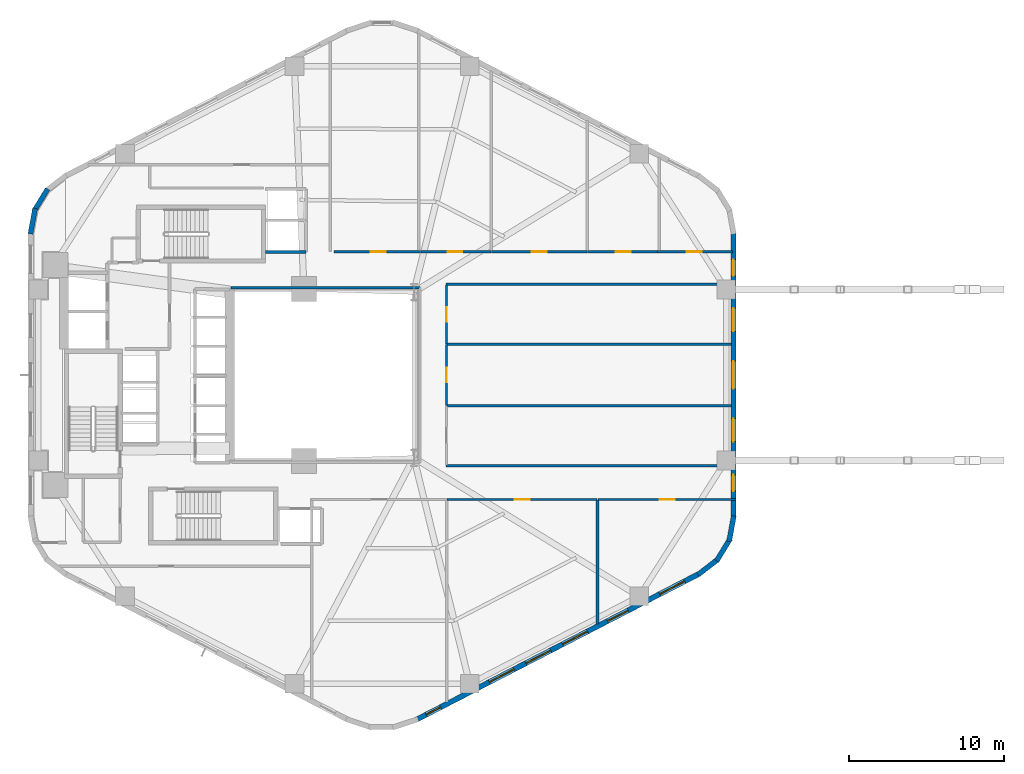
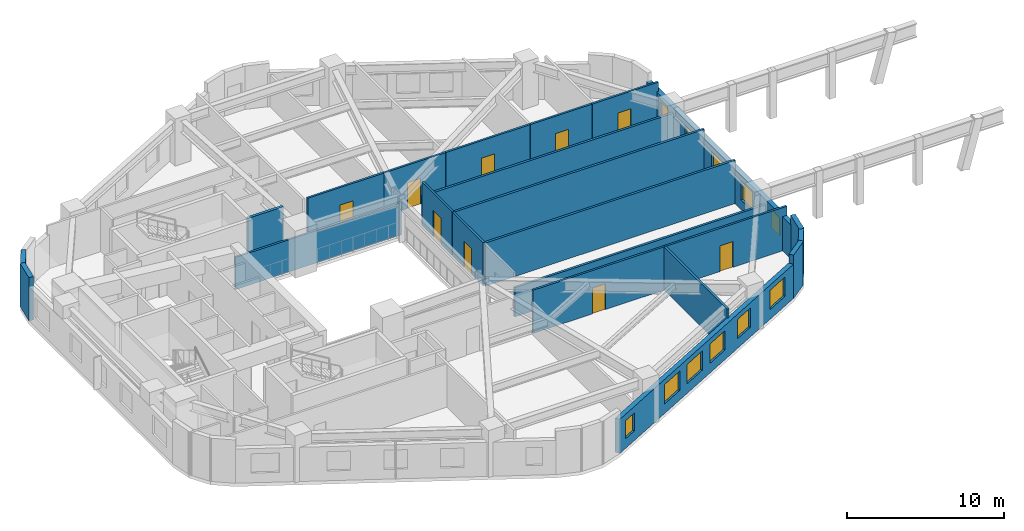
# One storey, part 4 of 7: 23 walls, 11 windows, 9 doors, 20 openings.
"""IFC4 building model written with IfcOpenShell, lengths in metres."""

import ifcopenshell
import ifcopenshell.guid

model = None  # the IFC model being written
_history = None  # IfcOwnerHistory: only IFC2X3 demands one
_inside = {}  # id of a spatial element -> (the spatial element, [elements in it])
_under = {}  # id of a project, library or spatial element -> (it, [spatial elements below it])
_declared = {}  # id of a project -> (the project, [libraries it declares])
_typed = {}  # id of a type object -> (the type object, [elements of that type])
_made_of = {}  # id of a material, layer set ... -> (it, [elements and type objects made of it])


def new_model(schema):
    """Start an empty IFC model of exactly this schema.

    Asked for "IFC4X3", IfcOpenShell would pick the latest addendum, in which some entities
    have other attributes; the version numbers below select the first issue.
    IFC2X3 requires an IfcOwnerHistory on every rooted entity: one is made here for all.
    """
    global model, _history
    if schema == "IFC4X3":
        model = ifcopenshell.file(schema_version=(4, 3, 0, 0))
    else:
        model = ifcopenshell.file(schema=schema)
    _inside.clear()
    _under.clear()
    _declared.clear()
    _typed.clear()
    _made_of.clear()
    _history = None
    if model.schema == "IFC2X3":
        org = make("IfcOrganization", Name="unknown")
        user = make(
            "IfcPersonAndOrganization",
            ThePerson=make("IfcPerson", FamilyName="unknown"),
            TheOrganization=org,
        )
        app = make(
            "IfcApplication",
            ApplicationDeveloper=org,
            Version="unknown",
            ApplicationFullName="unknown",
            ApplicationIdentifier="unknown",
        )
        _history = make(
            "IfcOwnerHistory",
            OwningUser=user,
            OwningApplication=app,
            ChangeAction="ADDED",
            CreationDate=0,
        )
    return model


def make(cls, **values):
    """One entity of the class cls with the attributes given. An attribute that is None is left unset."""
    return model.create_entity(
        cls, **{name: value for name, value in values.items() if value is not None}
    )


def rooted(cls, **values):
    """An entity with a GlobalId (a new one), such as an element, a storey or a relation."""
    return make(cls, GlobalId=ifcopenshell.guid.new(), OwnerHistory=_history, **values)


def si_unit(unit_type, name, prefix=None):
    """IfcSIUnit, for example si_unit("LENGTHUNIT", "METRE", prefix="MILLI")."""
    return make("IfcSIUnit", UnitType=unit_type, Prefix=prefix, Name=name)


def assignment(units):
    """IfcUnitAssignment: the units of a project."""
    return None if units is None else make("IfcUnitAssignment", Units=units)


def point(xyz):
    """IfcCartesianPoint."""
    return None if xyz is None else make("IfcCartesianPoint", Coordinates=xyz)


def direction(xyz):
    """IfcDirection."""
    return None if xyz is None else make("IfcDirection", DirectionRatios=xyz)


def frame(location, z_axis=None, x_axis=None):
    """IfcAxis2Placement3D, a coordinate frame: its origin and axes. An axis left out is left unset."""
    return make(
        "IfcAxis2Placement3D",
        Location=point(location),
        Axis=direction(z_axis),
        RefDirection=direction(x_axis),
    )


def frame_2d(location, x_axis=None):
    """IfcAxis2Placement2D, a coordinate frame in the plane: its origin and x axis."""
    return make(
        "IfcAxis2Placement2D", Location=point(location), RefDirection=direction(x_axis)
    )


def origin():
    """The frame at (0, 0, 0) with its axes left unset."""
    return frame((0.0, 0.0, 0.0))


def place(relative_to, where):
    """IfcLocalPlacement: puts the frame where relative to a parent placement (None: the world)."""
    return make(
        "IfcLocalPlacement", PlacementRelTo=relative_to, RelativePlacement=where
    )


def context(
    kind, dimensions, precision=None, world=None, true_north=None, identifier=None
):
    """IfcGeometricRepresentationContext, for example the 3D "Model" context."""
    return make(
        "IfcGeometricRepresentationContext",
        ContextIdentifier=identifier,
        ContextType=kind,
        CoordinateSpaceDimension=dimensions,
        Precision=precision,
        WorldCoordinateSystem=world,
        TrueNorth=true_north,
    )


def subcontext(parent, identifier, kind, view, scale=None):
    """IfcGeometricRepresentationSubContext, for example "Body" below "Model"."""
    return make(
        "IfcGeometricRepresentationSubContext",
        ContextIdentifier=identifier,
        ContextType=kind,
        ParentContext=parent,
        TargetScale=scale,
        TargetView=view,
    )


def project(units=None, contexts=None):
    """IfcProject with its units and contexts."""
    return rooted(
        "IfcProject",
        Name="project",
        RepresentationContexts=contexts,
        UnitsInContext=assignment(units),
    )


def spatial(cls, under=None, at=None, **own):
    """A site, building, storey or space (cls), placed at a placement, below another one or the project."""
    s = rooted(cls, ObjectPlacement=at, **own)
    if under is not None:
        _under.setdefault(under.id(), (under, []))[1].append(s)
    return s


def profile(cls, at=None, kind="AREA", **sizes):
    """A parametric profile (cls). Its sizes go by their IFC names, for example OverallWidth=200.0."""
    return make(cls, ProfileType=kind, Position=at, **sizes)


def rectangle(**sizes):
    """IfcRectangleProfileDef."""
    return profile("IfcRectangleProfileDef", **sizes)


def extrude(swept, where, along, depth):
    """IfcExtrudedAreaSolid: the profile swept, set in the frame where, extruded along a direction by depth."""
    return make(
        "IfcExtrudedAreaSolid",
        SweptArea=swept,
        Position=where,
        ExtrudedDirection=direction(along),
        Depth=depth,
    )


def shape(context_of_items, identifier, shape_type, items):
    """IfcShapeRepresentation: the items that make up one representation, for example the "Body"."""
    return make(
        "IfcShapeRepresentation",
        ContextOfItems=context_of_items,
        RepresentationIdentifier=identifier,
        RepresentationType=shape_type,
        Items=items,
    )


def material(Name=None, Category=None):
    """IfcMaterial."""
    return make("IfcMaterial", Name=Name, Category=Category)


def layer(
    of_material, thickness, ventilated=None, Name=None, Category=None, Priority=None
):
    """IfcMaterialLayer: one layer of a wall or slab, of a material (None: an air gap)."""
    return make(
        "IfcMaterialLayer",
        Material=of_material,
        LayerThickness=thickness,
        IsVentilated=ventilated,
        Name=Name,
        Category=Category,
        Priority=Priority,
    )


def layer_set(layers, Name=None):
    """IfcMaterialLayerSet."""
    return make("IfcMaterialLayerSet", MaterialLayers=layers, LayerSetName=Name)


def made_of(thing, what):
    """Note that an element or type object is made of a material, layer set ...; save() writes the relation."""
    if what is not None:
        _made_of.setdefault(what.id(), (what, []))[1].append(thing)
    return thing


def type_object(cls, material=None, **own):
    """A type object (cls), such as IfcWallType, which elements share."""
    return made_of(rooted(cls, **own), material)


def element(
    cls,
    number,
    at=None,
    inside=None,
    cuts=None,
    type_object=None,
    material=None,
    context=None,
    identifier="Body",
    shape_type=None,
    held_by="IfcProductDefinitionShape",
    body=None,
    shapes=None,
    **own,
):
    """One element of the class cls, such as IfcWall. Its Tag is "e" and its number.

    at: its placement. inside: the storey or other place that contains it. cuts: it is an
    opening in that element (IfcRelVoidsElement). A single representation is given by context,
    identifier, shape_type and body (its items); several are given by shapes. held_by: the class
    of the entity that holds the representations. save() writes the other relations.
    """
    e = rooted(cls, Tag="e%d" % number, ObjectPlacement=at, **own)
    if body is not None:
        shapes = [shape(context, identifier, shape_type, body)]
    if shapes is not None:
        e.Representation = make(held_by, Representations=shapes)
    if inside is not None:
        _inside.setdefault(inside.id(), (inside, []))[1].append(e)
    if cuts is not None:
        rooted(
            "IfcRelVoidsElement", RelatingBuildingElement=cuts, RelatedOpeningElement=e
        )
    if type_object is not None:
        _typed.setdefault(type_object.id(), (type_object, []))[1].append(e)
    return made_of(e, material)


def fill(opening, filler):
    """IfcRelFillsElement: the door or window that sits in an opening."""
    return rooted(
        "IfcRelFillsElement",
        RelatingOpeningElement=opening,
        RelatedBuildingElement=filler,
    )


def aggregate(whole, parts):
    """IfcRelAggregates: a whole, such as a stair, and the parts it consists of."""
    return rooted("IfcRelAggregates", RelatingObject=whole, RelatedObjects=parts)


def save(model, path):
    """Write the relations noted so far, then the file.

    IfcRelAggregates (storeys below a building ...), IfcRelContainedInSpatialStructure (elements
    in a storey), IfcRelDefinesByType, IfcRelAssociatesMaterial and IfcRelDeclares: one each for
    every whole, place, type object, material and project.
    """
    for whole, parts in _under.values():
        aggregate(whole, parts)
    for where, things in _inside.values():
        rooted(
            "IfcRelContainedInSpatialStructure",
            RelatedElements=things,
            RelatingStructure=where,
        )
    for kind, things in _typed.values():
        rooted("IfcRelDefinesByType", RelatedObjects=things, RelatingType=kind)
    for what, things in _made_of.values():
        rooted("IfcRelAssociatesMaterial", RelatedObjects=things, RelatingMaterial=what)
    for by, libraries in _declared.values():
        rooted("IfcRelDeclares", RelatingContext=by, RelatedDefinitions=libraries)
    model.write(path)


model = new_model("IFC4")

# Units and contexts
model_context = context("Model", 3, precision=1e-05, world=origin(), true_north=direction((0.0, 1.0)))
body_context = subcontext(model_context, "Body", "Model", "MODEL_VIEW")
ifc_project = project(units=[si_unit("LENGTHUNIT", "METRE"), si_unit("AREAUNIT", "SQUARE_METRE"), si_unit("VOLUMEUNIT", "CUBIC_METRE"), si_unit("PLANEANGLEUNIT", "RADIAN"), si_unit("MASSUNIT", "GRAM", prefix="KILO"), si_unit("THERMODYNAMICTEMPERATUREUNIT", "KELVIN"), si_unit("POWERUNIT", "WATT")], contexts=[model_context])

# Site, building, storey
site_placement = place(None, origin())
site = spatial("IfcSite", under=ifc_project, at=site_placement, CompositionType="ELEMENT")
building_placement = place(site_placement, origin())
building = spatial("IfcBuilding", under=site, at=building_placement, Name="Skarre Station Tower", CompositionType="ELEMENT")
storey_placement = place(building_placement, frame((0.0, 0.0, 48.89990234375)))
storey = spatial("IfcBuildingStorey", under=building, at=storey_placement, Name="L12", CompositionType="ELEMENT", Elevation=48.89990234375)

# Wall
ifc_material_1 = material(Name="Acoustic Steel-Stud Gypsum Partition", Category="steel")
ifc_layer_1 = layer(ifc_material_1, 0.14990234375, Name="Acoustic Steel-Stud Gypsum Partition")
ifc_layer_set_1 = layer_set([ifc_layer_1], Name="Acoustic Steel-Stud Gypsum Partition")
wall_type_1 = type_object("IfcWallType", Name="Fire-Rated Corridor Acoustic Partition 150", PredefinedType="PARTITIONING", material=ifc_layer_set_1)
wall_1_placement = place(storey_placement, frame((39.840087890625, 29.639892578125, 0.0), z_axis=(0.0, 0.0, 1.0), x_axis=(-1.0, 0.0, 0.0)))
element("IfcWall", 1, at=wall_1_placement, inside=storey, type_object=wall_type_1, Name="L12 Interior Partition WL-PT-L12-ATRW-N", PredefinedType="PARTITIONING", context=body_context, shape_type="SweptSolid", body=[
    extrude(rectangle(XDim=12.2001953125, YDim=0.14990234375, at=frame_2d((6.10009765625, 0.0))), origin(), (0.0, 0.0, 1.0), 2.5009765625),
])

# Wall, opening, door
wall_2_placement = place(storey_placement, frame((39.89404296875, 31.9599609375, 0.0), z_axis=(0.0, 0.0, 1.0), x_axis=(-1.0, 0.0, 0.0)))
wall_2 = element("IfcWall", 2, at=wall_2_placement, inside=storey, type_object=wall_type_1, Name="L12 Interior Partition WL-PT-L12-NW1-CW", PredefinedType="PARTITIONING", context=body_context, shape_type="SweptSolid", body=[
    extrude(rectangle(XDim=5.60400390625, YDim=0.14990234375, at=frame_2d((2.802001953125, 0.0))), origin(), (0.0, 0.0, 1.0), 3.360107421875),
])
opening_1_placement = place(wall_2_placement, frame((2.264892578125, 0.0, 0.0)))
opening_1 = element("IfcOpeningElement", 3, at=opening_1_placement, cuts=wall_2, Name="Opening DR-FD60", PredefinedType="OPENING", context=body_context, shape_type="SweptSolid", body=[
    extrude(rectangle(XDim=0.9599609375, YDim=2.0, at=frame_2d((0.47998046875, 1.0))), frame((0.0, 0.0849609375, 0.0), z_axis=(0.0, -1.0, 0.0), x_axis=(1.0, 0.0, 0.0)), (0.0, 0.0, 1.0), 0.169921875),
])
ifc_material_2 = material(Name="Nordic White-Oak Veneer Solid-Core Fire Leaf", Category="wood")
door_type = type_object("IfcDoorType", Name="Corridor Suite Entry Fire Door FD60 960x2150", OperationType="SINGLE_SWING_LEFT", PredefinedType="DOOR", material=ifc_material_2)
door_1_placement = place(opening_1_placement, origin())
door_1 = element("IfcDoor", 4, at=door_1_placement, inside=storey, type_object=door_type, Name="L12 NW1 Entry Door", OperationType="SINGLE_SWING_LEFT", OverallHeight=2.0, OverallWidth=0.9599609375, PredefinedType="DOOR", context=body_context, shape_type="SweptSolid", body=[
    extrude(rectangle(XDim=0.9599609375, YDim=2.0, at=frame_2d((0.47998046875, 1.0))), frame((0.0, 0.02490234375, 0.0), z_axis=(0.0, -1.0, 0.0), x_axis=(1.0, 0.0, 0.0)), (0.0, 0.0, 1.0), 0.050048828125),
])
fill(opening_1, door_1)

wall_3_placement = place(storey_placement, frame((44.4169921875, 31.9599609375, 0.0), z_axis=(0.0, 0.0, 1.0), x_axis=(-1.0, 0.0, 0.0)))
wall_3 = element("IfcWall", 5, at=wall_3_placement, inside=storey, type_object=wall_type_1, Name="L12 Interior Partition WL-PT-L12-NW2-CW", PredefinedType="PARTITIONING", context=body_context, shape_type="SweptSolid", body=[
    extrude(rectangle(XDim=4.512939453125, YDim=0.14990234375, at=frame_2d((2.25634765625, 0.0))), origin(), (0.0, 0.0, 1.0), 3.360107421875),
])
opening_2_placement = place(wall_3_placement, frame((1.833984375, 0.0, 0.0)))
opening_2 = element("IfcOpeningElement", 6, at=opening_2_placement, cuts=wall_3, Name="Opening DR-FD60", PredefinedType="OPENING", context=body_context, shape_type="SweptSolid", body=[
    extrude(rectangle(XDim=0.9599609375, YDim=2.0, at=frame_2d((0.47998046875, 1.0))), frame((0.0, 0.0849609375, 0.0), z_axis=(0.0, -1.0, 0.0), x_axis=(1.0, 0.0, 0.0)), (0.0, 0.0, 1.0), 0.169921875),
])
door_2_placement = place(opening_2_placement, origin())
door_2 = element("IfcDoor", 7, at=door_2_placement, inside=storey, type_object=door_type, Name="L12 NW2 Entry Door", OperationType="SINGLE_SWING_LEFT", OverallHeight=2.0, OverallWidth=0.9599609375, PredefinedType="DOOR", context=body_context, shape_type="SweptSolid", body=[
    extrude(rectangle(XDim=0.9599609375, YDim=2.0, at=frame_2d((0.47998046875, 1.0))), frame((0.0, 0.02490234375, 0.0), z_axis=(0.0, -1.0, 0.0), x_axis=(1.0, 0.0, 0.0)), (0.0, 0.0, 1.0), 0.050048828125),
])
fill(opening_2, door_2)

wall_4_placement = place(storey_placement, frame((50.62890625, 31.9599609375, 0.0), z_axis=(0.0, 0.0, 1.0), x_axis=(-1.0, 0.0, 0.0)))
wall_4 = element("IfcWall", 8, at=wall_4_placement, inside=storey, type_object=wall_type_1, Name="L12 Interior Partition WL-PT-L12-NW3-CW", PredefinedType="PARTITIONING", context=body_context, shape_type="SweptSolid", body=[
    extrude(rectangle(XDim=6.179931640625, YDim=0.14990234375, at=frame_2d((3.08984375, 0.0))), origin(), (0.0, 0.0, 1.0), 3.360107421875),
])
opening_3_placement = place(wall_4_placement, frame((2.610107421875, 0.0, 0.0)))
opening_3 = element("IfcOpeningElement", 9, at=opening_3_placement, cuts=wall_4, Name="Opening DR-FD60", PredefinedType="OPENING", context=body_context, shape_type="SweptSolid", body=[
    extrude(rectangle(XDim=0.9599609375, YDim=2.0, at=frame_2d((0.47998046875, 1.0))), frame((0.0, 0.0849609375, 0.0), z_axis=(0.0, -1.0, 0.0), x_axis=(1.0, 0.0, 0.0)), (0.0, 0.0, 1.0), 0.169921875),
])
door_3_placement = place(opening_3_placement, origin())
door_3 = element("IfcDoor", 10, at=door_3_placement, inside=storey, type_object=door_type, Name="L12 NW3 Entry Door", OperationType="SINGLE_SWING_LEFT", OverallHeight=2.0, OverallWidth=0.9599609375, PredefinedType="DOOR", context=body_context, shape_type="SweptSolid", body=[
    extrude(rectangle(XDim=0.9599609375, YDim=2.0, at=frame_2d((0.47998046875, 1.0))), frame((0.0, 0.02490234375, 0.0), z_axis=(0.0, -1.0, 0.0), x_axis=(1.0, 0.0, 0.0)), (0.0, 0.0, 1.0), 0.050048828125),
])
fill(opening_3, door_3)

wall_5_placement = place(storey_placement, frame((55.174072265625, 31.9599609375, 0.0), z_axis=(0.0, 0.0, 1.0), x_axis=(-1.0, 0.0, 0.0)))
wall_5 = element("IfcWall", 11, at=wall_5_placement, inside=storey, type_object=wall_type_1, Name="L12 Interior Partition WL-PT-L12-NW4-CW", PredefinedType="PARTITIONING", context=body_context, shape_type="SweptSolid", body=[
    extrude(rectangle(XDim=4.51318359375, YDim=0.14990234375, at=frame_2d((2.256591796875, 0.0))), origin(), (0.0, 0.0, 1.0), 3.360107421875),
])
opening_4_placement = place(wall_5_placement, frame((1.719970703125, 0.0, 0.0)))
opening_4 = element("IfcOpeningElement", 12, at=opening_4_placement, cuts=wall_5, Name="Opening DR-FD60", PredefinedType="OPENING", context=body_context, shape_type="SweptSolid", body=[
    extrude(rectangle(XDim=0.9599609375, YDim=2.0, at=frame_2d((0.47998046875, 1.0))), frame((0.0, 0.0849609375, 0.0), z_axis=(0.0, -1.0, 0.0), x_axis=(1.0, 0.0, 0.0)), (0.0, 0.0, 1.0), 0.169921875),
])
door_4_placement = place(opening_4_placement, origin())
door_4 = element("IfcDoor", 13, at=door_4_placement, inside=storey, type_object=door_type, Name="L12 NW4 Entry Door", OperationType="SINGLE_SWING_LEFT", OverallHeight=2.0, OverallWidth=0.9599609375, PredefinedType="DOOR", context=body_context, shape_type="SweptSolid", body=[
    extrude(rectangle(XDim=0.9599609375, YDim=2.0, at=frame_2d((0.47998046875, 1.0))), frame((0.0, 0.02490234375, 0.0), z_axis=(0.0, -1.0, 0.0), x_axis=(1.0, 0.0, 0.0)), (0.0, 0.0, 1.0), 0.050048828125),
])
fill(opening_4, door_4)

wall_6_placement = place(storey_placement, frame((60.031982421875, 31.9599609375, 0.0), z_axis=(0.0, 0.0, 1.0), x_axis=(-1.0, 0.0, 0.0)))
wall_6 = element("IfcWall", 14, at=wall_6_placement, inside=storey, type_object=wall_type_1, Name="L12 Interior Partition WL-PT-L12-NW5-CW", PredefinedType="PARTITIONING", context=body_context, shape_type="SweptSolid", body=[
    extrude(rectangle(XDim=4.847900390625, YDim=0.14990234375, at=frame_2d((2.423828125, 0.0))), origin(), (0.0, 0.0, 1.0), 3.360107421875),
])
opening_5_placement = place(wall_6_placement, frame((2.0009765625, 0.0, 0.0)))
opening_5 = element("IfcOpeningElement", 15, at=opening_5_placement, cuts=wall_6, Name="Opening DR-FD60", PredefinedType="OPENING", context=body_context, shape_type="SweptSolid", body=[
    extrude(rectangle(XDim=0.9599609375, YDim=2.0, at=frame_2d((0.47998046875, 1.0))), frame((0.0, 0.0849609375, 0.0), z_axis=(0.0, -1.0, 0.0), x_axis=(1.0, 0.0, 0.0)), (0.0, 0.0, 1.0), 0.169921875),
])
door_5_placement = place(opening_5_placement, origin())
door_5 = element("IfcDoor", 16, at=door_5_placement, inside=storey, type_object=door_type, Name="L12 NW5 Entry Door", OperationType="SINGLE_SWING_LEFT", OverallHeight=2.0, OverallWidth=0.9599609375, PredefinedType="DOOR", context=body_context, shape_type="SweptSolid", body=[
    extrude(rectangle(XDim=0.9599609375, YDim=2.0, at=frame_2d((0.47998046875, 1.0))), frame((0.0, 0.02490234375, 0.0), z_axis=(0.0, -1.0, 0.0), x_axis=(1.0, 0.0, 0.0)), (0.0, 0.0, 1.0), 0.050048828125),
])
fill(opening_5, door_5)

wall_7_placement = place(storey_placement, frame((41.56005859375, 22.0390625, 0.0), z_axis=(0.0, 0.0, 1.0), x_axis=(0.0, 1.0, 0.0)))
wall_7 = element("IfcWall", 17, at=wall_7_placement, inside=storey, type_object=wall_type_1, Name="L12 Interior Partition WL-PT-L12-EW2-CW", PredefinedType="PARTITIONING", context=body_context, shape_type="SweptSolid", body=[
    extrude(rectangle(XDim=3.921875, YDim=0.14990234375, at=frame_2d((1.9609375, 0.0))), origin(), (0.0, 0.0, 1.0), 3.360107421875),
])
opening_6_placement = place(wall_7_placement, frame((1.48095703125, 0.0, 0.0)))
opening_6 = element("IfcOpeningElement", 18, at=opening_6_placement, cuts=wall_7, Name="Opening DR-FD60", PredefinedType="OPENING", context=body_context, shape_type="SweptSolid", body=[
    extrude(rectangle(XDim=0.9599609375, YDim=2.0, at=frame_2d((0.47998046875, 1.0))), frame((0.0, 0.0849609375, 0.0), z_axis=(0.0, -1.0, 0.0), x_axis=(1.0, 0.0, 0.0)), (0.0, 0.0, 1.0), 0.169921875),
])
door_6_placement = place(opening_6_placement, origin())
door_6 = element("IfcDoor", 19, at=door_6_placement, inside=storey, type_object=door_type, Name="L12 EW2 Entry Door", OperationType="SINGLE_SWING_LEFT", OverallHeight=2.0, OverallWidth=0.9599609375, PredefinedType="DOOR", context=body_context, shape_type="SweptSolid", body=[
    extrude(rectangle(XDim=0.9599609375, YDim=2.0, at=frame_2d((0.47998046875, 1.0))), frame((0.0, 0.02490234375, 0.0), z_axis=(0.0, -1.0, 0.0), x_axis=(1.0, 0.0, 0.0)), (0.0, 0.0, 1.0), 0.050048828125),
])
fill(opening_6, door_6)

wall_8_placement = place(storey_placement, frame((41.56005859375, 25.9970703125, 0.0), z_axis=(0.0, 0.0, 1.0), x_axis=(0.0, 1.0, 0.0)))
wall_8 = element("IfcWall", 20, at=wall_8_placement, inside=storey, type_object=wall_type_1, Name="L12 Interior Partition WL-PT-L12-EW3-CW", PredefinedType="PARTITIONING", context=body_context, shape_type="SweptSolid", body=[
    extrude(rectangle(XDim=3.822998046875, YDim=0.14990234375, at=frame_2d((1.91162109375, 0.0))), origin(), (0.0, 0.0, 1.0), 3.360107421875),
])
opening_7_placement = place(wall_8_placement, frame((1.431884765625, 0.0, 0.0)))
opening_7 = element("IfcOpeningElement", 21, at=opening_7_placement, cuts=wall_8, Name="Opening DR-FD60", PredefinedType="OPENING", context=body_context, shape_type="SweptSolid", body=[
    extrude(rectangle(XDim=0.9599609375, YDim=2.0, at=frame_2d((0.47998046875, 1.0))), frame((0.0, 0.0849609375, 0.0), z_axis=(0.0, -1.0, 0.0), x_axis=(1.0, 0.0, 0.0)), (0.0, 0.0, 1.0), 0.169921875),
])
door_7_placement = place(opening_7_placement, origin())
door_7 = element("IfcDoor", 22, at=door_7_placement, inside=storey, type_object=door_type, Name="L12 EW3 Entry Door", OperationType="SINGLE_SWING_LEFT", OverallHeight=2.0, OverallWidth=0.9599609375, PredefinedType="DOOR", context=body_context, shape_type="SweptSolid", body=[
    extrude(rectangle(XDim=0.9599609375, YDim=2.0, at=frame_2d((0.47998046875, 1.0))), frame((0.0, 0.02490234375, 0.0), z_axis=(0.0, -1.0, 0.0), x_axis=(1.0, 0.0, 0.0)), (0.0, 0.0, 1.0), 0.050048828125),
])
fill(opening_7, door_7)

wall_9_placement = place(storey_placement, frame((41.592041015625, 15.9599609375, 0.0), z_axis=(0.0, 0.0, 1.0), x_axis=(1.0, 0.0, 0.0)))
wall_9 = element("IfcWall", 23, at=wall_9_placement, inside=storey, type_object=wall_type_1, Name="L12 Interior Partition WL-PT-L12-SW2-CW", PredefinedType="PARTITIONING", context=body_context, shape_type="SweptSolid", body=[
    extrude(rectangle(XDim=9.698974609375, YDim=0.14990234375, at=frame_2d((4.849609375, 0.0))), origin(), (0.0, 0.0, 1.0), 3.360107421875),
])
opening_8_placement = place(wall_9_placement, frame((4.3701171875, 0.0, 0.0)))
opening_8 = element("IfcOpeningElement", 24, at=opening_8_placement, cuts=wall_9, Name="Opening DR-FD60", PredefinedType="OPENING", context=body_context, shape_type="SweptSolid", body=[
    extrude(rectangle(XDim=0.9599609375, YDim=2.0, at=frame_2d((0.47998046875, 1.0))), frame((0.0, 0.0849609375, 0.0), z_axis=(0.0, -1.0, 0.0), x_axis=(1.0, 0.0, 0.0)), (0.0, 0.0, 1.0), 0.169921875),
])
door_8_placement = place(opening_8_placement, origin())
door_8 = element("IfcDoor", 25, at=door_8_placement, inside=storey, type_object=door_type, Name="L12 SW2 Entry Door", OperationType="SINGLE_SWING_LEFT", OverallHeight=2.0, OverallWidth=0.9599609375, PredefinedType="DOOR", context=body_context, shape_type="SweptSolid", body=[
    extrude(rectangle(XDim=0.9599609375, YDim=2.0, at=frame_2d((0.47998046875, 1.0))), frame((0.0, 0.02490234375, 0.0), z_axis=(0.0, -1.0, 0.0), x_axis=(1.0, 0.0, 0.0)), (0.0, 0.0, 1.0), 0.050048828125),
])
fill(opening_8, door_8)

wall_10_placement = place(storey_placement, frame((51.326904296875, 15.9599609375, 0.0), z_axis=(0.0, 0.0, 1.0), x_axis=(1.0, 0.0, 0.0)))
wall_10 = element("IfcWall", 26, at=wall_10_placement, inside=storey, type_object=wall_type_1, Name="L12 Interior Partition WL-PT-L12-SW3-CW", PredefinedType="PARTITIONING", context=body_context, shape_type="SweptSolid", body=[
    extrude(rectangle(XDim=8.926025390625, YDim=0.14990234375, at=frame_2d((4.462890625, 0.0))), origin(), (0.0, 0.0, 1.0), 3.360107421875),
])
opening_9_placement = place(wall_10_placement, frame((3.9970703125, 0.0, 0.0)))
opening_9 = element("IfcOpeningElement", 27, at=opening_9_placement, cuts=wall_10, Name="Opening DR-FD60", PredefinedType="OPENING", context=body_context, shape_type="SweptSolid", body=[
    extrude(rectangle(XDim=0.9599609375, YDim=2.0, at=frame_2d((0.47998046875, 1.0))), frame((0.0, 0.0849609375, 0.0), z_axis=(0.0, -1.0, 0.0), x_axis=(1.0, 0.0, 0.0)), (0.0, 0.0, 1.0), 0.169921875),
])
door_9_placement = place(opening_9_placement, origin())
door_9 = element("IfcDoor", 28, at=door_9_placement, inside=storey, type_object=door_type, Name="L12 SW3 Entry Door", OperationType="SINGLE_SWING_LEFT", OverallHeight=2.0, OverallWidth=0.9599609375, PredefinedType="DOOR", context=body_context, shape_type="SweptSolid", body=[
    extrude(rectangle(XDim=0.9599609375, YDim=2.0, at=frame_2d((0.47998046875, 1.0))), frame((0.0, 0.02490234375, 0.0), z_axis=(0.0, -1.0, 0.0), x_axis=(1.0, 0.0, 0.0)), (0.0, 0.0, 1.0), 0.050048828125),
])
fill(opening_9, door_9)

# Wall, openings, windows
ifc_material_3 = material(Name="Precast concrete C45/55", Category="concrete")
ifc_layer_2 = layer(ifc_material_3, 0.340087890625, Name="Precast concrete C45/55")
ifc_layer_set_2 = layer_set([ifc_layer_2], Name="Precast concrete C45/55")
wall_type_2 = type_object("IfcWallType", Name="Nordic Honed Precast Facet Wall 340", PredefinedType="STANDARD", material=ifc_layer_set_2)
wall_11_placement = place(storey_placement, frame((57.8759765625, 11.158935546875, 0.0), z_axis=(0.0, 0.0, 1.0), x_axis=(-0.888634413993, -0.458616264721, 0.0)))
wall_11 = element("IfcWall", 29, at=wall_11_placement, inside=storey, type_object=wall_type_2, Name="L12 Facet 4 Nordic Precast Masonry Wall", PredefinedType="STANDARD", context=body_context, shape_type="SweptSolid", body=[
    extrude(rectangle(XDim=20.53125, YDim=0.340087890625, at=frame_2d((10.265625, 0.0))), origin(), (0.0, 0.0, 1.0), 2.654052734375),
])
opening_10_placement = place(wall_11_placement, frame((1.05810546875, 0.0, 0.75)))
opening_10 = element("IfcOpeningElement", 30, at=opening_10_placement, cuts=wall_11, Name="Opening WN-Z1A", PredefinedType="OPENING", context=body_context, shape_type="SweptSolid", body=[
    extrude(rectangle(XDim=1.800048828125, YDim=1.5, at=frame_2d((0.89990234375, 0.75))), frame((0.0, 0.179931640625, 0.0), z_axis=(0.0, -1.0, 0.0), x_axis=(1.0, 0.0, 0.0)), (0.0, 0.0, 1.0), 0.360107421875),
])
opening_11_placement = place(wall_11_placement, frame((5.156005859375, 0.0, 0.75)))
opening_11 = element("IfcOpeningElement", 31, at=opening_11_placement, cuts=wall_11, Name="Opening WN-Z1B", PredefinedType="OPENING", context=body_context, shape_type="SweptSolid", body=[
    extrude(rectangle(XDim=1.5, YDim=1.5, at=frame_2d((0.75, 0.75))), frame((0.0, 0.179931640625, 0.0), z_axis=(0.0, -1.0, 0.0), x_axis=(1.0, 0.0, 0.0)), (0.0, 0.0, 1.0), 0.360107421875),
])
opening_12_placement = place(wall_11_placement, frame((8.123046875, 0.0, 0.75)))
opening_12 = element("IfcOpeningElement", 32, at=opening_12_placement, cuts=wall_11, Name="Opening WN-Z1A", PredefinedType="OPENING", context=body_context, shape_type="SweptSolid", body=[
    extrude(rectangle(XDim=1.800048828125, YDim=1.5, at=frame_2d((0.89990234375, 0.75))), frame((0.0, 0.179931640625, 0.0), z_axis=(0.0, -1.0, 0.0), x_axis=(1.0, 0.0, 0.0)), (0.0, 0.0, 1.0), 0.360107421875),
])
opening_13_placement = place(wall_11_placement, frame((10.7880859375, 0.0, 0.75)))
opening_13 = element("IfcOpeningElement", 33, at=opening_13_placement, cuts=wall_11, Name="Opening WN-Z1A", PredefinedType="OPENING", context=body_context, shape_type="SweptSolid", body=[
    extrude(rectangle(XDim=1.800048828125, YDim=1.5, at=frame_2d((0.89990234375, 0.75))), frame((0.0, 0.179931640625, 0.0), z_axis=(0.0, -1.0, 0.0), x_axis=(1.0, 0.0, 0.0)), (0.0, 0.0, 1.0), 0.360107421875),
])
opening_14_placement = place(wall_11_placement, frame((13.452880859375, 0.0, 0.75)))
opening_14 = element("IfcOpeningElement", 34, at=opening_14_placement, cuts=wall_11, Name="Opening WN-Z1A", PredefinedType="OPENING", context=body_context, shape_type="SweptSolid", body=[
    extrude(rectangle(XDim=1.800048828125, YDim=1.5, at=frame_2d((0.89990234375, 0.75))), frame((0.0, 0.179931640625, 0.0), z_axis=(0.0, -1.0, 0.0), x_axis=(1.0, 0.0, 0.0)), (0.0, 0.0, 1.0), 0.360107421875),
])
opening_15_placement = place(wall_11_placement, frame((18.7880859375, 0.0, 0.75)))
opening_15 = element("IfcOpeningElement", 35, at=opening_15_placement, cuts=wall_11, Name="Opening WN-SLT", PredefinedType="OPENING", context=body_context, shape_type="SweptSolid", body=[
    extrude(rectangle(XDim=1.050048828125, YDim=1.39990234375, at=frame_2d((0.52490234375, 0.699951171875))), frame((0.0, 0.179931640625, 0.0), z_axis=(0.0, -1.0, 0.0), x_axis=(1.0, 0.0, 0.0)), (0.0, 0.0, 1.0), 0.360107421875),
])
ifc_material_4 = material(Name="Low-Iron Triple Glazing with Bronze Anodized Frame", Category="glass")
window_type_1 = type_object("IfcWindowType", Name="Nordic Corner Slot Window 1050x1400", PartitioningType="SINGLE_PANEL", PredefinedType="WINDOW", material=ifc_material_4)
window_1_placement = place(opening_15_placement, origin())
window_1 = element("IfcWindow", 36, at=window_1_placement, inside=storey, type_object=window_type_1, Name="L12 Facade Window WL-FAC-L12-F4-6", OverallHeight=1.39990234375, OverallWidth=1.050048828125, PartitioningType="SINGLE_PANEL", PredefinedType="WINDOW", context=body_context, shape_type="SweptSolid", body=[
    extrude(rectangle(XDim=1.050048828125, YDim=1.39990234375, at=frame_2d((0.52490234375, 0.699951171875))), frame((0.0, 0.030029296875, 0.0), z_axis=(0.0, -1.0, 0.0), x_axis=(1.0, 0.0, 0.0)), (0.0, 0.0, 1.0), 0.06005859375),
])
fill(opening_15, window_1)
window_type_2 = type_object("IfcWindowType", Name="Nordic Punched Triple-Glazed Window 1500x1500", PartitioningType="SINGLE_PANEL", PredefinedType="WINDOW", material=ifc_material_4)
window_2_placement = place(opening_11_placement, origin())
window_2 = element("IfcWindow", 37, at=window_2_placement, inside=storey, type_object=window_type_2, Name="L12 Facade Window WL-FAC-L12-F4-2", OverallHeight=1.5, OverallWidth=1.5, PartitioningType="SINGLE_PANEL", PredefinedType="WINDOW", context=body_context, shape_type="SweptSolid", body=[
    extrude(rectangle(XDim=1.5, YDim=1.5, at=frame_2d((0.75, 0.75))), frame((0.0, 0.030029296875, 0.0), z_axis=(0.0, -1.0, 0.0), x_axis=(1.0, 0.0, 0.0)), (0.0, 0.0, 1.0), 0.06005859375),
])
fill(opening_11, window_2)
window_type_3 = type_object("IfcWindowType", Name="Nordic Punched Triple-Glazed Window 1800x1500", PartitioningType="SINGLE_PANEL", PredefinedType="WINDOW", material=ifc_material_4)
window_3_placement = place(opening_10_placement, origin())
window_3 = element("IfcWindow", 38, at=window_3_placement, inside=storey, type_object=window_type_3, Name="L12 Facade Window WL-FAC-L12-F4-1", OverallHeight=1.5, OverallWidth=1.800048828125, PartitioningType="SINGLE_PANEL", PredefinedType="WINDOW", context=body_context, shape_type="SweptSolid", body=[
    extrude(rectangle(XDim=1.800048828125, YDim=1.5, at=frame_2d((0.89990234375, 0.75))), frame((0.0, 0.030029296875, 0.0), z_axis=(0.0, -1.0, 0.0), x_axis=(1.0, 0.0, 0.0)), (0.0, 0.0, 1.0), 0.06005859375),
])
fill(opening_10, window_3)
window_4_placement = place(opening_12_placement, origin())
window_4 = element("IfcWindow", 39, at=window_4_placement, inside=storey, type_object=window_type_3, Name="L12 Facade Window WL-FAC-L12-F4-3", OverallHeight=1.5, OverallWidth=1.800048828125, PartitioningType="SINGLE_PANEL", PredefinedType="WINDOW", context=body_context, shape_type="SweptSolid", body=[
    extrude(rectangle(XDim=1.800048828125, YDim=1.5, at=frame_2d((0.89990234375, 0.75))), frame((0.0, 0.030029296875, 0.0), z_axis=(0.0, -1.0, 0.0), x_axis=(1.0, 0.0, 0.0)), (0.0, 0.0, 1.0), 0.06005859375),
])
fill(opening_12, window_4)
window_5_placement = place(opening_13_placement, origin())
window_5 = element("IfcWindow", 40, at=window_5_placement, inside=storey, type_object=window_type_3, Name="L12 Facade Window WL-FAC-L12-F4-4", OverallHeight=1.5, OverallWidth=1.800048828125, PartitioningType="SINGLE_PANEL", PredefinedType="WINDOW", context=body_context, shape_type="SweptSolid", body=[
    extrude(rectangle(XDim=1.800048828125, YDim=1.5, at=frame_2d((0.89990234375, 0.75))), frame((0.0, 0.030029296875, 0.0), z_axis=(0.0, -1.0, 0.0), x_axis=(1.0, 0.0, 0.0)), (0.0, 0.0, 1.0), 0.06005859375),
])
fill(opening_13, window_5)
window_6_placement = place(opening_14_placement, origin())
window_6 = element("IfcWindow", 41, at=window_6_placement, inside=storey, type_object=window_type_3, Name="L12 Facade Window WL-FAC-L12-F4-5", OverallHeight=1.5, OverallWidth=1.800048828125, PartitioningType="SINGLE_PANEL", PredefinedType="WINDOW", context=body_context, shape_type="SweptSolid", body=[
    extrude(rectangle(XDim=1.800048828125, YDim=1.5, at=frame_2d((0.89990234375, 0.75))), frame((0.0, 0.030029296875, 0.0), z_axis=(0.0, -1.0, 0.0), x_axis=(1.0, 0.0, 0.0)), (0.0, 0.0, 1.0), 0.06005859375),
])
fill(opening_14, window_6)

wall_12_placement = place(storey_placement, frame((60.093017578125, 33.201904296875, 0.0), z_axis=(0.0, 0.0, 1.0), x_axis=(0.0, -1.0, 0.0)))
wall_12 = element("IfcWall", 42, at=wall_12_placement, inside=storey, type_object=wall_type_2, Name="L12 Facet 5 Nordic Precast Masonry Wall", PredefinedType="STANDARD", context=body_context, shape_type="SweptSolid", body=[
    extrude(rectangle(XDim=18.40380859375, YDim=0.340087890625, at=frame_2d((9.201904296875, 0.0))), origin(), (0.0, 0.0, 1.0), 2.654052734375),
])
opening_16_placement = place(wall_12_placement, frame((1.743896484375, 0.0, 0.75)))
opening_16 = element("IfcOpeningElement", 43, at=opening_16_placement, cuts=wall_12, Name="Opening WN-SLT", PredefinedType="OPENING", context=body_context, shape_type="SweptSolid", body=[
    extrude(rectangle(XDim=1.050048828125, YDim=1.39990234375, at=frame_2d((0.52490234375, 0.699951171875))), frame((0.0, 0.179931640625, 0.0), z_axis=(0.0, -1.0, 0.0), x_axis=(1.0, 0.0, 0.0)), (0.0, 0.0, 1.0), 0.360107421875),
])
opening_17_placement = place(wall_12_placement, frame((4.89111328125, 0.0, 0.75)))
opening_17 = element("IfcOpeningElement", 44, at=opening_17_placement, cuts=wall_12, Name="Opening WN-Z1B", PredefinedType="OPENING", context=body_context, shape_type="SweptSolid", body=[
    extrude(rectangle(XDim=1.5, YDim=1.5, at=frame_2d((0.75, 0.75))), frame((0.0, 0.179931640625, 0.0), z_axis=(0.0, -1.0, 0.0), x_axis=(1.0, 0.0, 0.0)), (0.0, 0.0, 1.0), 0.360107421875),
])
opening_18_placement = place(wall_12_placement, frame((8.302001953125, 0.0, 0.75)))
opening_18 = element("IfcOpeningElement", 45, at=opening_18_placement, cuts=wall_12, Name="Opening WN-Z1A", PredefinedType="OPENING", context=body_context, shape_type="SweptSolid", body=[
    extrude(rectangle(XDim=1.800048828125, YDim=1.5, at=frame_2d((0.89990234375, 0.75))), frame((0.0, 0.179931640625, 0.0), z_axis=(0.0, -1.0, 0.0), x_axis=(1.0, 0.0, 0.0)), (0.0, 0.0, 1.0), 0.360107421875),
])
opening_19_placement = place(wall_12_placement, frame((12.012939453125, 0.0, 0.75)))
opening_19 = element("IfcOpeningElement", 46, at=opening_19_placement, cuts=wall_12, Name="Opening WN-Z1B", PredefinedType="OPENING", context=body_context, shape_type="SweptSolid", body=[
    extrude(rectangle(XDim=1.5, YDim=1.5, at=frame_2d((0.75, 0.75))), frame((0.0, 0.179931640625, 0.0), z_axis=(0.0, -1.0, 0.0), x_axis=(1.0, 0.0, 0.0)), (0.0, 0.0, 1.0), 0.360107421875),
])
opening_20_placement = place(wall_12_placement, frame((15.64990234375, 0.0, 0.75)))
opening_20 = element("IfcOpeningElement", 47, at=opening_20_placement, cuts=wall_12, Name="Opening WN-SLT", PredefinedType="OPENING", context=body_context, shape_type="SweptSolid", body=[
    extrude(rectangle(XDim=1.050048828125, YDim=1.39990234375, at=frame_2d((0.52490234375, 0.699951171875))), frame((0.0, 0.179931640625, 0.0), z_axis=(0.0, -1.0, 0.0), x_axis=(1.0, 0.0, 0.0)), (0.0, 0.0, 1.0), 0.360107421875),
])
window_7_placement = place(opening_16_placement, origin())
window_7 = element("IfcWindow", 48, at=window_7_placement, inside=storey, type_object=window_type_1, Name="L12 Facade Window WL-FAC-L12-F5-1", OverallHeight=1.39990234375, OverallWidth=1.050048828125, PartitioningType="SINGLE_PANEL", PredefinedType="WINDOW", context=body_context, shape_type="SweptSolid", body=[
    extrude(rectangle(XDim=1.050048828125, YDim=1.39990234375, at=frame_2d((0.52490234375, 0.699951171875))), frame((0.0, 0.030029296875, 0.0), z_axis=(0.0, -1.0, 0.0), x_axis=(1.0, 0.0, 0.0)), (0.0, 0.0, 1.0), 0.06005859375),
])
fill(opening_16, window_7)
window_8_placement = place(opening_20_placement, origin())
window_8 = element("IfcWindow", 49, at=window_8_placement, inside=storey, type_object=window_type_1, Name="L12 Facade Window WL-FAC-L12-F5-5", OverallHeight=1.39990234375, OverallWidth=1.050048828125, PartitioningType="SINGLE_PANEL", PredefinedType="WINDOW", context=body_context, shape_type="SweptSolid", body=[
    extrude(rectangle(XDim=1.050048828125, YDim=1.39990234375, at=frame_2d((0.52490234375, 0.699951171875))), frame((0.0, 0.030029296875, 0.0), z_axis=(0.0, -1.0, 0.0), x_axis=(1.0, 0.0, 0.0)), (0.0, 0.0, 1.0), 0.06005859375),
])
fill(opening_20, window_8)
window_9_placement = place(opening_17_placement, origin())
window_9 = element("IfcWindow", 50, at=window_9_placement, inside=storey, type_object=window_type_2, Name="L12 Facade Window WL-FAC-L12-F5-2", OverallHeight=1.5, OverallWidth=1.5, PartitioningType="SINGLE_PANEL", PredefinedType="WINDOW", context=body_context, shape_type="SweptSolid", body=[
    extrude(rectangle(XDim=1.5, YDim=1.5, at=frame_2d((0.75, 0.75))), frame((0.0, 0.030029296875, 0.0), z_axis=(0.0, -1.0, 0.0), x_axis=(1.0, 0.0, 0.0)), (0.0, 0.0, 1.0), 0.06005859375),
])
fill(opening_17, window_9)
window_10_placement = place(opening_19_placement, origin())
window_10 = element("IfcWindow", 51, at=window_10_placement, inside=storey, type_object=window_type_2, Name="L12 Facade Window WL-FAC-L12-F5-4", OverallHeight=1.5, OverallWidth=1.5, PartitioningType="SINGLE_PANEL", PredefinedType="WINDOW", context=body_context, shape_type="SweptSolid", body=[
    extrude(rectangle(XDim=1.5, YDim=1.5, at=frame_2d((0.75, 0.75))), frame((0.0, 0.030029296875, 0.0), z_axis=(0.0, -1.0, 0.0), x_axis=(1.0, 0.0, 0.0)), (0.0, 0.0, 1.0), 0.06005859375),
])
fill(opening_19, window_10)
window_11_placement = place(opening_18_placement, origin())
window_11 = element("IfcWindow", 52, at=window_11_placement, inside=storey, type_object=window_type_3, Name="L12 Facade Window WL-FAC-L12-F5-3", OverallHeight=1.5, OverallWidth=1.800048828125, PartitioningType="SINGLE_PANEL", PredefinedType="WINDOW", context=body_context, shape_type="SweptSolid", body=[
    extrude(rectangle(XDim=1.800048828125, YDim=1.5, at=frame_2d((0.89990234375, 0.75))), frame((0.0, 0.030029296875, 0.0), z_axis=(0.0, -1.0, 0.0), x_axis=(1.0, 0.0, 0.0)), (0.0, 0.0, 1.0), 0.06005859375),
])
fill(opening_18, window_11)

# Walls
ifc_layer_3 = layer(ifc_material_3, 0.330078125, Name="Precast concrete C45/55")
ifc_layer_set_3 = layer_set([ifc_layer_3], Name="Precast concrete C45/55")
wall_type_3 = type_object("IfcWallType", Name="Nordic Rounded Corner Precast Wall 330", PredefinedType="STANDARD", material=ifc_layer_set_3)
wall_13_placement = place(storey_placement, frame((14.68701171875, 33.10791015625, 0.0), z_axis=(0.0, 0.0, 1.0), x_axis=(0.181714143354, 0.983351397063, 0.0)))
element("IfcWall", 53, at=wall_13_placement, inside=storey, type_object=wall_type_3, Name="L12 Rounded Corner Precast Wall F2-1", PredefinedType="STANDARD", context=body_context, shape_type="SweptSolid", body=[
    extrude(rectangle(XDim=1.677978515625, YDim=0.330078125, at=frame_2d((0.8388671875, 0.0))), origin(), (0.0, 0.0, 1.0), 3.360107421875),
])
wall_14_placement = place(storey_placement, frame((14.925048828125, 34.5830078125, 0.0), z_axis=(0.0, 0.0, 1.0), x_axis=(0.520584129191, 0.853810379671, 0.0)))
element("IfcWall", 54, at=wall_14_placement, inside=storey, type_object=wall_type_3, Name="L12 Rounded Corner Precast Wall F2-2", PredefinedType="STANDARD", context=body_context, shape_type="SweptSolid", body=[
    extrude(rectangle(XDim=1.677001953125, YDim=0.330078125, at=frame_2d((0.83837890625, 0.0))), origin(), (0.0, 0.0, 1.0), 3.360107421875),
])
wall_15_placement = place(storey_placement, frame((60.113037109375, 14.89208984375, 0.0), z_axis=(0.0, 0.0, 1.0), x_axis=(-0.181714143354, -0.983351397063, 0.0)))
element("IfcWall", 55, at=wall_15_placement, inside=storey, type_object=wall_type_3, Name="L12 Rounded Corner Precast Wall F5-1", PredefinedType="STANDARD", context=body_context, shape_type="SweptSolid", body=[
    extrude(rectangle(XDim=1.677978515625, YDim=0.330078125, at=frame_2d((0.8388671875, 0.0))), origin(), (0.0, 0.0, 1.0), 3.360107421875),
])
wall_16_placement = place(storey_placement, frame((59.875, 13.4169921875, 0.0), z_axis=(0.0, 0.0, 1.0), x_axis=(-0.520584129191, -0.853810379671, 0.0)))
element("IfcWall", 56, at=wall_16_placement, inside=storey, type_object=wall_type_3, Name="L12 Rounded Corner Precast Wall F5-2", PredefinedType="STANDARD", context=body_context, shape_type="SweptSolid", body=[
    extrude(rectangle(XDim=1.677001953125, YDim=0.330078125, at=frame_2d((0.83837890625, 0.0))), origin(), (0.0, 0.0, 1.0), 3.360107421875),
])
wall_17_placement = place(storey_placement, frame((59.126953125, 12.125, 0.0), z_axis=(0.0, 0.0, 1.0), x_axis=(-0.790691856293, -0.61221433207, 0.0)))
element("IfcWall", 57, at=wall_17_placement, inside=storey, type_object=wall_type_3, Name="L12 Rounded Corner Precast Wall F5-3", PredefinedType="STANDARD", context=body_context, shape_type="SweptSolid", body=[
    extrude(rectangle(XDim=1.67578125, YDim=0.330078125, at=frame_2d((0.837890625, 0.0))), origin(), (0.0, 0.0, 1.0), 3.360107421875),
])
ifc_material_5 = material(Name="Gypsum Concrete Shaft Assembly C30/37", Category="concrete")
ifc_layer_4 = layer(ifc_material_5, 0.199951171875, Name="Gypsum Concrete Shaft Assembly C30/37")
ifc_layer_set_4 = layer_set([ifc_layer_4], Name="Gypsum Concrete Shaft Assembly C30/37")
wall_type_4 = type_object("IfcWallType", Name="Shaft & Core Fire Partition 200", PredefinedType="PARTITIONING", material=ifc_layer_set_4)
wall_18_placement = place(storey_placement, frame((32.47998046875, 31.949951171875, 0.0), z_axis=(0.0, 0.0, 1.0), x_axis=(-1.0, 0.0, 0.0)))
element("IfcWall", 58, at=wall_18_placement, inside=storey, type_object=wall_type_4, Name="L12 Interior Partition WL-PT-L12-EX-S", PredefinedType="PARTITIONING", context=body_context, shape_type="SweptSolid", body=[
    extrude(rectangle(XDim=2.60009765625, YDim=0.199951171875, at=frame_2d((1.300048828125, 0.0))), origin(), (0.0, 0.0, 1.0), 3.360107421875),
])
ifc_layer_5 = layer(ifc_material_1, 0.1650390625, Name="Acoustic Steel-Stud Gypsum Partition")
ifc_layer_set_5 = layer_set([ifc_layer_5], Name="Acoustic Steel-Stud Gypsum Partition")
wall_type_5 = type_object("IfcWallType", Name="Suite Demising Acoustic Partition 165", PredefinedType="PARTITIONING", material=ifc_layer_set_5)
for number, where, z_axis, x_axis, name in (
    (59, (41.52001953125, 18.139892578125, 0.0), (0.0, 0.0, 1.0), (1.0, 0.0, 0.0), "L12 Interior Partition WL-PT-L12-EWB-S"),
    (60, (41.52001953125, 29.860107421875, 0.0), (0.0, 0.0, 1.0), (1.0, 0.0, 0.0), "L12 Interior Partition WL-PT-L12-EWB-N"),
):
    element("IfcWall", number, at=place(storey_placement, frame(where, z_axis=z_axis, x_axis=x_axis)), inside=storey, type_object=wall_type_5, Name=name, PredefinedType="PARTITIONING", context=body_context, shape_type="SweptSolid", body=[
        extrude(rectangle(XDim=18.452880859375, YDim=0.1650390625, at=frame_2d((9.2265625, 0.0))), origin(), (0.0, 0.0, 1.0), 2.26806640625),
    ])
for number, where, z_axis, x_axis, name in (
    (61, (41.590087890625, 22.02099609375, 0.0), (0.0, 0.0, 1.0), (1.0, 0.0, 0.0), "L12 Interior Partition WL-PT-L12-EW-P1"),
    (62, (41.590087890625, 25.97900390625, 0.0), (0.0, 0.0, 1.0), (1.0, 0.0, 0.0), "L12 Interior Partition WL-PT-L12-EW-P2"),
):
    element("IfcWall", number, at=place(storey_placement, frame(where, z_axis=z_axis, x_axis=x_axis)), inside=storey, type_object=wall_type_5, Name=name, PredefinedType="PARTITIONING", context=body_context, shape_type="SweptSolid", body=[
        extrude(rectangle(XDim=18.3828125, YDim=0.1650390625, at=frame_2d((9.19140625, 0.0))), origin(), (0.0, 0.0, 1.0), 3.360107421875),
    ])
wall_19_placement = place(storey_placement, frame((51.30908203125, 7.905029296875, 0.0), z_axis=(0.0, 0.0, 1.0), x_axis=(0.0, 1.0, 0.0)))
element("IfcWall", 63, at=wall_19_placement, inside=storey, type_object=wall_type_5, Name="L12 Interior Partition WL-PT-L12-SW-P2", PredefinedType="PARTITIONING", context=body_context, shape_type="SweptSolid", body=[
    extrude(rectangle(XDim=8.02490234375, YDim=0.1650390625, at=frame_2d((4.012451171875, 0.0))), origin(), (0.0, 0.0, 1.0), 3.360107421875),
])

save(model, "model.ifc")
